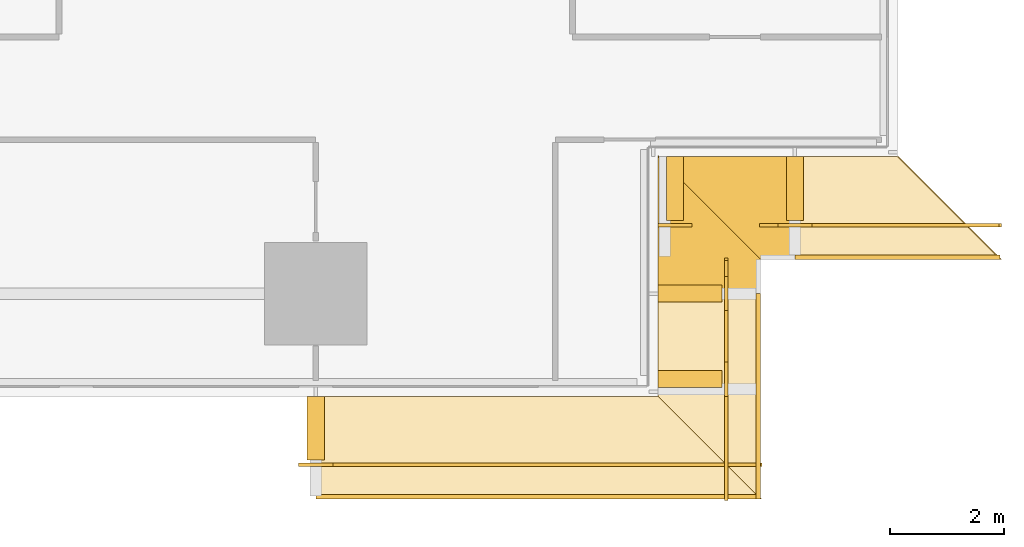
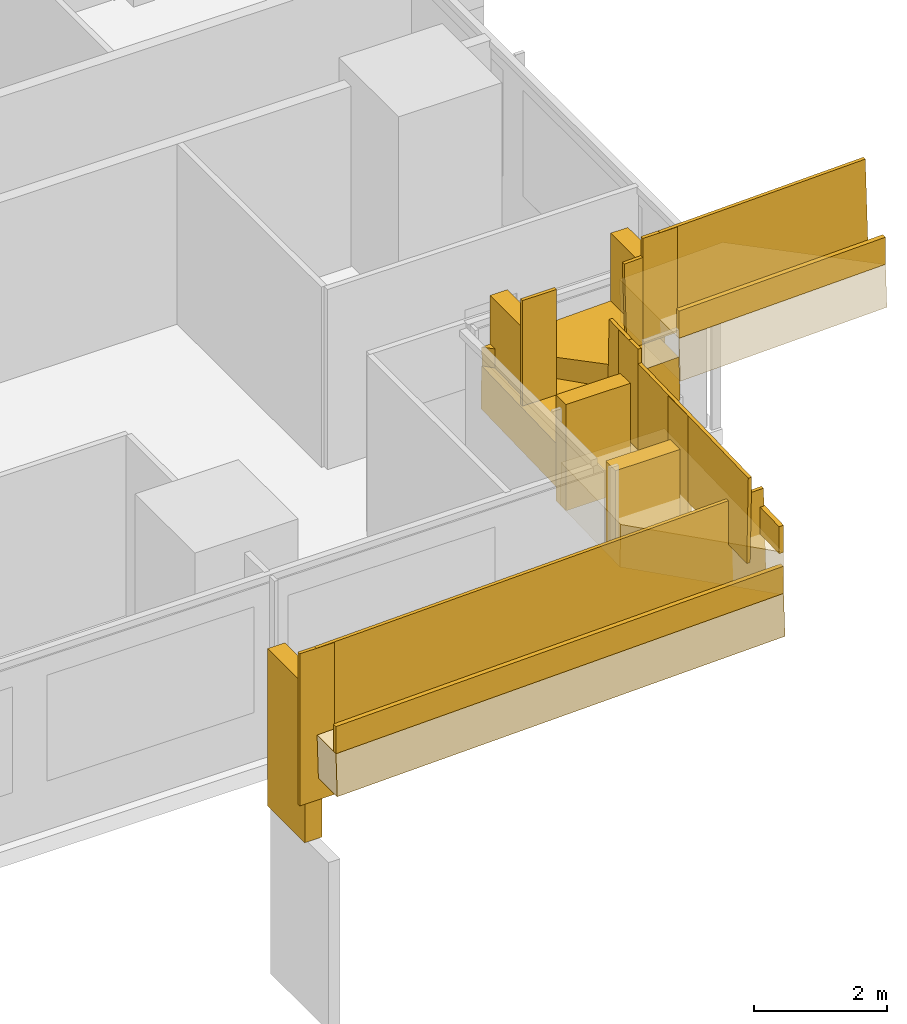
# One storey, part 28 of 30: 13 coverings, 10 railings.
"""IFC4 building model written with IfcOpenShell, lengths in metres."""

from ifc_helpers import new_model, si_unit, direction, frame, origin, origin_2d, place, context, subcontext, project, spatial, polyline, rectangle, outline, extrude, material, layer, layer_set, type_object, element, save


model = new_model("IFC4")

# Units and contexts
model_context = context("Model", 3, precision=1e-05, world=origin(), true_north=direction((0.0, 1.0)))
body_context = subcontext(model_context, "Body", "Model", "MODEL_VIEW")
ifc_project = project(units=[si_unit("LENGTHUNIT", "METRE"), si_unit("AREAUNIT", "SQUARE_METRE"), si_unit("VOLUMEUNIT", "CUBIC_METRE"), si_unit("PLANEANGLEUNIT", "RADIAN"), si_unit("MASSUNIT", "GRAM", prefix="KILO")], contexts=[model_context])

# Site, building, storey
site_placement = place(None, origin())
site = spatial("IfcSite", under=ifc_project, at=site_placement, CompositionType="ELEMENT")
building_placement = place(site_placement, origin())
building = spatial("IfcBuilding", under=site, at=building_placement, Name="Saffron Gate Tower", CompositionType="ELEMENT")
storey_placement = place(building_placement, frame((0.0, 0.0, 158.25)))
storey = spatial("IfcBuildingStorey", under=building, at=storey_placement, Name="L38", CompositionType="ELEMENT", Elevation=158.25)

# Coverings
ifc_material = material(Name="Timber, thermally modified ash", Category="wood")
ifc_layer_1 = layer(ifc_material, 0.800048828125)
ifc_layer_set_1 = layer_set([ifc_layer_1], Name="LD1 ledge timber")
covering_type_1 = type_object("IfcCoveringType", Name="LD1 ledge timber", PredefinedType="CLADDING", material=ifc_layer_set_1)
covering_1_placement = place(storey_placement, frame((117.0, 30.0, 1.2265625), z_axis=(-0.028789477025, -2.391759e-05, 0.999585496814), x_axis=(0.9995854971, 1.72e-10, 0.028789477033)))
element("IfcCovering", 1, at=covering_1_placement, inside=storey, type_object=covering_type_1, Name="LEDGE", PredefinedType="CLADDING", context=body_context, shape_type="SweptSolid", body=[
    extrude(outline(polyline([(0.0, 0.0), (6.002489288687248, 8.470329472543003e-22), (7.80328207139786, -1.8000488299785034), (-3.0879623774719253e-10, -1.8000488276101398), (0.0, 0.0)])), origin(), (0.0, 0.0, -1.0), 0.800048828125),
])
covering_2_placement = place(storey_placement, frame((123.0, 30.0, 2.2568359375), z_axis=(0.0, -0.028741681402, 0.999586872538), x_axis=(0.0, 0.999586872538, 0.028741681402)))
element("IfcCovering", 2, at=covering_2_placement, inside=storey, type_object=covering_type_1, Name="LEDGE", PredefinedType="CLADDING", context=body_context, shape_type="SweptSolid", body=[
    extrude(outline(polyline([(0.0, 0.0), (1.8007927850779974, 0.0), (1.8007927850779974, -1.800048828125), (-1.8007927850779974, -1.800048828125), (0.0, 0.0)])), origin(), (0.0, 0.0, -1.0), 0.800048828125),
])
covering_3_placement = place(storey_placement, frame((123.0, 31.800048828125, 2.56591796875), z_axis=(-2.8677152e-05, -0.028798988267, 0.999585222706), x_axis=(-6.17e-10, 0.999585223117, 0.028798988279)))
element("IfcCovering", 3, at=covering_3_placement, inside=storey, type_object=covering_type_1, Name="LEDGE", PredefinedType="CLADDING", context=body_context, shape_type="SweptSolid", body=[
    extrude(outline(polyline([(0.0, 0.0), (2.400896693585025, 4.235164736271502e-22), (0.6001039103565923, -1.8000488292351675), (-1.1098572600196767e-09, -1.8000488273848385), (0.0, 0.0)])), origin(), (0.0, 0.0, -1.0), 0.800048828125),
])
covering_4_placement = place(storey_placement, frame((123.0, 34.199951171875, 2.97802734375), z_axis=(-0.028798988267, -2.8677152e-05, 0.999585222706), x_axis=(0.999585223117, -6.17e-10, 0.028798988279)))
element("IfcCovering", 4, at=covering_4_placement, inside=storey, type_object=covering_type_1, Name="LEDGE", PredefinedType="CLADDING", context=body_context, shape_type="SweptSolid", body=[
    extrude(outline(polyline([(0.0, 0.0), (2.400896693585025, -4.235164736271502e-22), (2.400896694694882, -1.8000488273848385), (1.8007927832284332, -1.8000488292351673), (0.0, 0.0)])), origin(), (0.0, 0.0, -1.0), 0.800048828125),
])
covering_5_placement = place(storey_placement, frame((125.39990234375, 34.199951171875, 3.39013671875), z_axis=(-0.028786835276, 4.5191264e-05, 0.999585572161), x_axis=(0.999585573182, 2.041e-09, 0.028786835305)))
element("IfcCovering", 5, at=covering_5_placement, inside=storey, type_object=covering_type_1, Name="LEDGE", PredefinedType="CLADDING", context=body_context, shape_type="SweptSolid", body=[
    extrude(outline(polyline([(0.0, 0.0), (1.8007927832406818, 0.0), (3.601592590842695, -1.8000488373153904), (-3.674631647332522e-09, -1.800048826286925), (0.0, 0.0)])), origin(), (0.0, 0.0, -1.0), 0.800048828125),
])
ifc_layer_2 = layer(ifc_material, 0.080078125)
ifc_layer_set_2 = layer_set([ifc_layer_2], Name="LD2 ledge planter trough")
covering_type_2 = type_object("IfcCoveringType", Name="LD2 ledge planter trough", PredefinedType="CLADDING", material=ifc_layer_set_2)
covering_6_placement = place(storey_placement, frame((117.0, 28.199951171875, 1.2265625), z_axis=(0.0, -1.0, 0.0), x_axis=(0.999585655924, 0.0, 0.028783962047)))
element("IfcCovering", 6, at=covering_6_placement, inside=storey, type_object=covering_type_2, Name="LEDGE planter trough", PredefinedType="CLADDING", context=body_context, shape_type="SweptSolid", body=[
    extrude(outline(polyline([(0.0, 0.0), (7.803282071825423, 2.7755575615628914e-17), (7.817674052849086, 0.4997928279619612), (0.014391981023662846, 0.4997928279619612), (0.0, 0.0)])), origin(), (0.0, 0.0, -1.0), 0.080078125),
])
covering_7_placement = place(storey_placement, frame((124.800048828125, 28.199951171875, 2.205078125), z_axis=(1.0, 0.0, 0.0), x_axis=(0.0, 0.999586872538, 0.028741681402)))
element("IfcCovering", 7, at=covering_7_placement, inside=storey, type_object=covering_type_2, Name="LEDGE planter trough", PredefinedType="CLADDING", context=body_context, shape_type="SweptSolid", body=[
    extrude(outline(polyline([(0.0, 0.0), (3.601585570155995, 0.0), (3.6159564108570694, 0.49979343626896944), (0.014370840701074394, 0.4997934362689694), (0.0, 0.0)])), origin(), (0.0, 0.0, -1.0), 0.080078125),
])
covering_8_placement = place(storey_placement, frame((125.39990234375, 32.39990234375, 3.39013671875), z_axis=(0.0, -1.0, 0.0), x_axis=(0.99958492274, 0.0, 0.028809412191)))
element("IfcCovering", 8, at=covering_8_placement, inside=storey, type_object=covering_type_2, Name="LEDGE planter trough", PredefinedType="CLADDING", context=body_context, shape_type="SweptSolid", body=[
    extrude(outline(polyline([(0.0, 0.0), (3.601592595435983, 0.0), (3.6159973015313485, 0.4997924613700232), (0.014404706095365512, 0.4997924613700232), (0.0, 0.0)])), origin(), (0.0, 0.0, -1.0), 0.080078125),
])
ifc_layer_3 = layer(ifc_material, 0.300048828125)
ifc_layer_set_3 = layer_set([ifc_layer_3], Name="LD3 ledge riser fin")
covering_type_3 = type_object("IfcCoveringType", Name="LD3 ledge riser fin", PredefinedType="CLADDING", material=ifc_layer_set_3)
covering_9_placement = place(storey_placement, frame((117.0, 29.43994140625, -0.773681640625), z_axis=(0.0, 0.0, 1.0), x_axis=(1.0, 0.0, 0.0)))
element("IfcCovering", 9, at=covering_9_placement, inside=storey, type_object=covering_type_3, Name="LEDGE riser fin", PredefinedType="CLADDING", context=body_context, shape_type="SweptSolid", body=[
    extrude(rectangle(XDim=0.300048828125, YDim=1.1201171875, at=origin_2d()), origin(), (0.0, 0.0, 1.0), 2.900390625),
])
covering_10_placement = place(storey_placement, frame((123.56005859375, 30.300048828125, 0.599609375), z_axis=(0.0, 0.0, 1.0), x_axis=(0.0, 1.0, 0.0)))
element("IfcCovering", 10, at=covering_10_placement, inside=storey, type_object=covering_type_3, Name="LEDGE riser fin", PredefinedType="CLADDING", context=body_context, shape_type="SweptSolid", body=[
    extrude(rectangle(XDim=0.300048828125, YDim=1.1201171875, at=origin_2d()), origin(), (0.0, 0.0, 1.0), 2.557373046875),
])
covering_11_placement = place(storey_placement, frame((123.56005859375, 31.800048828125, 1.5087890625), z_axis=(0.0, 0.0, 1.0), x_axis=(0.0, 1.0, 0.0)))
element("IfcCovering", 11, at=covering_11_placement, inside=storey, type_object=covering_type_3, Name="LEDGE riser fin", PredefinedType="CLADDING", context=body_context, shape_type="SweptSolid", body=[
    extrude(rectangle(XDim=0.300048828125, YDim=1.1201171875, at=origin_2d()), origin(), (0.0, 0.0, 1.0), 1.957275390625),
])
for number, where, z_axis, x_axis, name in (
    (12, (123.300048828125, 33.639892578125, 1.8349609375), (0.0, 0.0, 1.0), (1.0, 0.0, 0.0), "LEDGE riser fin"),
    (13, (125.39990234375, 33.639892578125, 2.2470703125), (0.0, 0.0, 1.0), (1.0, 0.0, 0.0), "LEDGE riser fin"),
):
    element("IfcCovering", number, at=place(storey_placement, frame(where, z_axis=z_axis, x_axis=x_axis)), inside=storey, type_object=covering_type_3, Name=name, PredefinedType="CLADDING", context=body_context, shape_type="SweptSolid", body=[
        extrude(rectangle(XDim=0.300048828125, YDim=1.1201171875, at=origin_2d()), origin(), (0.0, 0.0, 1.0), 2.04296875),
    ])

# Railings
railing_type = type_object("IfcRailingType", Name="LG1 ledge balustrade", PredefinedType="BALUSTRADE", material=ifc_material)
railing_1_placement = place(storey_placement, frame((117.0, 28.800048828125, 1.2265625)))
element("IfcRailing", 14, at=railing_1_placement, inside=storey, type_object=railing_type, Name="LEDGE BALUSTRADE", PredefinedType="BALUSTRADE", context=body_context, shape_type="SweptSolid", body=[
    extrude(rectangle(XDim=0.06005859375, YDim=1.60009765625, at=origin_2d()), frame((0.0, 0.0, 0.800048828125), z_axis=(0.999585655924, 0.0, 0.028783962047), x_axis=(0.0, 1.0, 0.0)), (0.0, 0.0, 1.0), 7.80322265625),
])
railing_2_placement = place(storey_placement, frame((116.699951171875, 28.800048828125, 0.026123046875)))
element("IfcRailing", 15, at=railing_2_placement, inside=storey, type_object=railing_type, Name="LEDGE BALUSTRADE", PredefinedType="BALUSTRADE", context=body_context, shape_type="SweptSolid", body=[
    extrude(rectangle(XDim=0.06005859375, YDim=2.80029296875, at=origin_2d()), frame((0.0, 0.0, 1.400146484375), z_axis=(1.0, 0.0, 0.0), x_axis=(0.0, 1.0, 0.0)), (0.0, 0.0, 1.0), 0.60009765625),
])
railing_3_placement = place(storey_placement, frame((124.199951171875, 28.199951171875, 2.205078125)))
element("IfcRailing", 16, at=railing_3_placement, inside=storey, type_object=railing_type, Name="LEDGE BALUSTRADE", PredefinedType="BALUSTRADE", context=body_context, shape_type="SweptSolid", body=[
    extrude(rectangle(XDim=0.06005859375, YDim=1.60009765625, at=origin_2d()), frame((0.0, 0.0, 0.800048828125), z_axis=(0.0, 0.999586872538, 0.028741681402), x_axis=(-1.0, 0.0, 0.0)), (0.0, 0.0, 1.0), 3.6015625),
])
railing_4_placement = place(storey_placement, frame((124.199951171875, 30.0, 1.3994140625)))
element("IfcRailing", 17, at=railing_4_placement, inside=storey, type_object=railing_type, Name="LEDGE BALUSTRADE", PredefinedType="BALUSTRADE", context=body_context, shape_type="SweptSolid", body=[
    extrude(rectangle(XDim=0.06005859375, YDim=2.45751953125, at=origin_2d()), frame((0.0, 0.0, 1.228759765625), z_axis=(0.0, 1.0, 0.0), x_axis=(-1.0, 0.0, 0.0)), (0.0, 0.0, 1.0), 0.60009765625),
])
railing_5_placement = place(storey_placement, frame((124.199951171875, 31.800048828125, 2.56591796875)))
element("IfcRailing", 18, at=railing_5_placement, inside=storey, type_object=railing_type, Name="LEDGE BALUSTRADE", PredefinedType="BALUSTRADE", context=body_context, shape_type="SweptSolid", body=[
    extrude(rectangle(XDim=0.06005859375, YDim=1.60009765625, at=origin_2d()), frame((0.0, 0.0, 0.800048828125), z_axis=(0.0, 0.999582742162, 0.028884971385), x_axis=(-1.0, 0.0, 0.0)), (0.0, 0.0, 1.0), 0.60009765625),
])
railing_6_placement = place(storey_placement, frame((124.199951171875, 31.5, 2.30859375)))
element("IfcRailing", 19, at=railing_6_placement, inside=storey, type_object=railing_type, Name="LEDGE BALUSTRADE", PredefinedType="BALUSTRADE", context=body_context, shape_type="SweptSolid", body=[
    extrude(rectangle(XDim=0.06005859375, YDim=1.857177734375, at=origin_2d()), frame((0.0, 0.0, 0.9287109375), z_axis=(0.0, 1.0, 0.0), x_axis=(-1.0, 0.0, 0.0)), (0.0, 0.0, 1.0), 0.60009765625),
])
railing_7_placement = place(storey_placement, frame((124.800048828125, 33.0, 3.02978515625)))
element("IfcRailing", 20, at=railing_7_placement, inside=storey, type_object=railing_type, Name="LEDGE BALUSTRADE", PredefinedType="BALUSTRADE", context=body_context, shape_type="SweptSolid", body=[
    extrude(rectangle(XDim=0.06005859375, YDim=1.60009765625, at=origin_2d()), frame((0.0, 0.0, 0.800048828125), z_axis=(0.999582742162, 0.0, 0.028884971385), x_axis=(0.0, 1.0, 0.0)), (0.0, 0.0, 1.0), 0.60009765625),
])
railing_8_placement = place(storey_placement, frame((123.0, 33.0, 2.635009765625)))
element("IfcRailing", 21, at=railing_8_placement, inside=storey, type_object=railing_type, Name="LEDGE BALUSTRADE", PredefinedType="BALUSTRADE", context=body_context, shape_type="SweptSolid", body=[
    extrude(rectangle(XDim=0.06005859375, YDim=1.943115234375, at=origin_2d()), frame((0.0, 0.0, 0.9716796875), z_axis=(1.0, 0.0, 0.0), x_axis=(0.0, 1.0, 0.0)), (0.0, 0.0, 1.0), 0.60009765625),
])
railing_9_placement = place(storey_placement, frame((125.39990234375, 33.0, 3.39013671875)))
element("IfcRailing", 22, at=railing_9_placement, inside=storey, type_object=railing_type, Name="LEDGE BALUSTRADE", PredefinedType="BALUSTRADE", context=body_context, shape_type="SweptSolid", body=[
    extrude(rectangle(XDim=0.06005859375, YDim=1.60009765625, at=origin_2d()), frame((0.0, 0.0, 0.800048828125), z_axis=(0.99958492274, 0.0, 0.028809412191), x_axis=(0.0, 1.0, 0.0)), (0.0, 0.0, 1.0), 3.6015625),
])
railing_10_placement = place(storey_placement, frame((125.10009765625, 33.0, 3.047119140625)))
element("IfcRailing", 23, at=railing_10_placement, inside=storey, type_object=railing_type, Name="LEDGE BALUSTRADE", PredefinedType="BALUSTRADE", context=body_context, shape_type="SweptSolid", body=[
    extrude(rectangle(XDim=0.06005859375, YDim=1.943115234375, at=origin_2d()), frame((0.0, 0.0, 0.9716796875), z_axis=(1.0, 0.0, 0.0), x_axis=(0.0, 1.0, 0.0)), (0.0, 0.0, 1.0), 0.599853515625),
])

save(model, "model.ifc")
